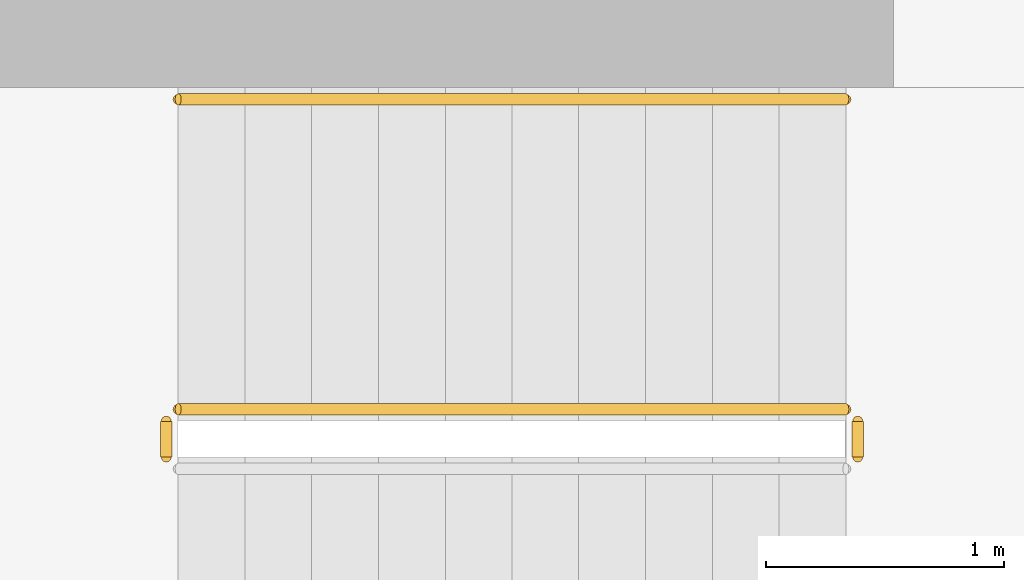
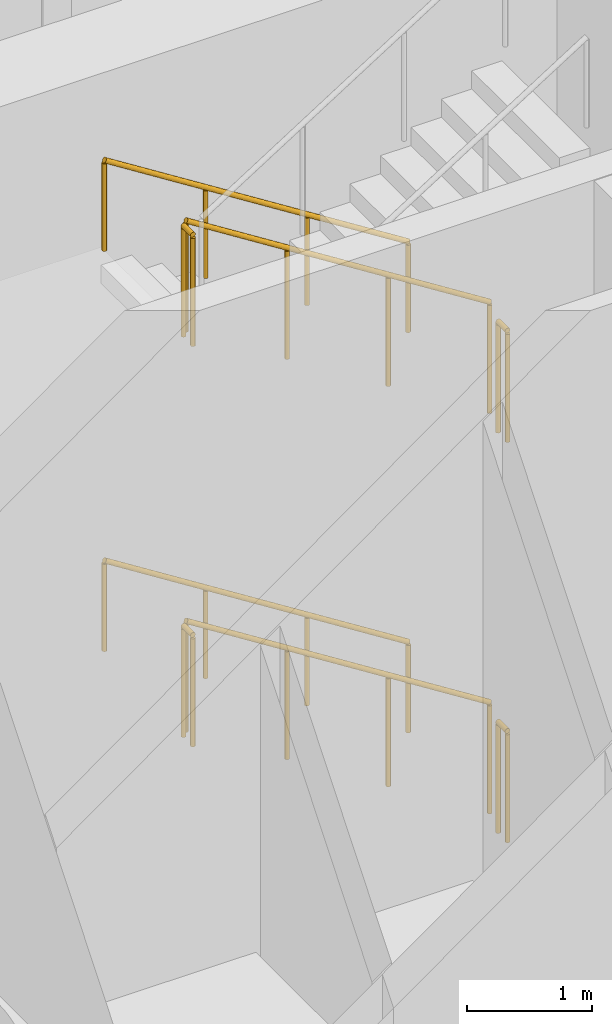
# One storey, part 13 of 16: 8 railings.
"""IFC4 building model written with IfcOpenShell, lengths in metres."""

import ifcopenshell
import ifcopenshell.guid

model = None  # the IFC model being written
_history = None  # IfcOwnerHistory: only IFC2X3 demands one
_inside = {}  # id of a spatial element -> (the spatial element, [elements in it])
_under = {}  # id of a project, library or spatial element -> (it, [spatial elements below it])
_declared = {}  # id of a project -> (the project, [libraries it declares])
_typed = {}  # id of a type object -> (the type object, [elements of that type])
_made_of = {}  # id of a material, layer set ... -> (it, [elements and type objects made of it])


def new_model(schema):
    """Start an empty IFC model of exactly this schema.

    Asked for "IFC4X3", IfcOpenShell would pick the latest addendum, in which some entities
    have other attributes; the version numbers below select the first issue.
    IFC2X3 requires an IfcOwnerHistory on every rooted entity: one is made here for all.
    """
    global model, _history
    if schema == "IFC4X3":
        model = ifcopenshell.file(schema_version=(4, 3, 0, 0))
    else:
        model = ifcopenshell.file(schema=schema)
    _inside.clear()
    _under.clear()
    _declared.clear()
    _typed.clear()
    _made_of.clear()
    _history = None
    if model.schema == "IFC2X3":
        org = make("IfcOrganization", Name="unknown")
        user = make(
            "IfcPersonAndOrganization",
            ThePerson=make("IfcPerson", FamilyName="unknown"),
            TheOrganization=org,
        )
        app = make(
            "IfcApplication",
            ApplicationDeveloper=org,
            Version="unknown",
            ApplicationFullName="unknown",
            ApplicationIdentifier="unknown",
        )
        _history = make(
            "IfcOwnerHistory",
            OwningUser=user,
            OwningApplication=app,
            ChangeAction="ADDED",
            CreationDate=0,
        )
    return model


def make(cls, **values):
    """One entity of the class cls with the attributes given. An attribute that is None is left unset."""
    return model.create_entity(
        cls, **{name: value for name, value in values.items() if value is not None}
    )


def rooted(cls, **values):
    """An entity with a GlobalId (a new one), such as an element, a storey or a relation."""
    return make(cls, GlobalId=ifcopenshell.guid.new(), OwnerHistory=_history, **values)


def si_unit(unit_type, name, prefix=None):
    """IfcSIUnit, for example si_unit("LENGTHUNIT", "METRE", prefix="MILLI")."""
    return make("IfcSIUnit", UnitType=unit_type, Prefix=prefix, Name=name)


def assignment(units):
    """IfcUnitAssignment: the units of a project."""
    return None if units is None else make("IfcUnitAssignment", Units=units)


def point(xyz):
    """IfcCartesianPoint."""
    return None if xyz is None else make("IfcCartesianPoint", Coordinates=xyz)


def direction(xyz):
    """IfcDirection."""
    return None if xyz is None else make("IfcDirection", DirectionRatios=xyz)


def frame(location, z_axis=None, x_axis=None):
    """IfcAxis2Placement3D, a coordinate frame: its origin and axes. An axis left out is left unset."""
    return make(
        "IfcAxis2Placement3D",
        Location=point(location),
        Axis=direction(z_axis),
        RefDirection=direction(x_axis),
    )


def frame_2d(location, x_axis=None):
    """IfcAxis2Placement2D, a coordinate frame in the plane: its origin and x axis."""
    return make(
        "IfcAxis2Placement2D", Location=point(location), RefDirection=direction(x_axis)
    )


def origin():
    """The frame at (0, 0, 0) with its axes left unset."""
    return frame((0.0, 0.0, 0.0))


def origin_2d():
    """The frame at (0, 0) in the plane with its x axis left unset."""
    return frame_2d((0.0, 0.0))


def place(relative_to, where):
    """IfcLocalPlacement: puts the frame where relative to a parent placement (None: the world)."""
    return make(
        "IfcLocalPlacement", PlacementRelTo=relative_to, RelativePlacement=where
    )


def context(
    kind, dimensions, precision=None, world=None, true_north=None, identifier=None
):
    """IfcGeometricRepresentationContext, for example the 3D "Model" context."""
    return make(
        "IfcGeometricRepresentationContext",
        ContextIdentifier=identifier,
        ContextType=kind,
        CoordinateSpaceDimension=dimensions,
        Precision=precision,
        WorldCoordinateSystem=world,
        TrueNorth=true_north,
    )


def subcontext(parent, identifier, kind, view, scale=None):
    """IfcGeometricRepresentationSubContext, for example "Body" below "Model"."""
    return make(
        "IfcGeometricRepresentationSubContext",
        ContextIdentifier=identifier,
        ContextType=kind,
        ParentContext=parent,
        TargetScale=scale,
        TargetView=view,
    )


def project(units=None, contexts=None):
    """IfcProject with its units and contexts."""
    return rooted(
        "IfcProject",
        Name="project",
        RepresentationContexts=contexts,
        UnitsInContext=assignment(units),
    )


def spatial(cls, under=None, at=None, **own):
    """A site, building, storey or space (cls), placed at a placement, below another one or the project."""
    s = rooted(cls, ObjectPlacement=at, **own)
    if under is not None:
        _under.setdefault(under.id(), (under, []))[1].append(s)
    return s


def profile(cls, at=None, kind="AREA", **sizes):
    """A parametric profile (cls). Its sizes go by their IFC names, for example OverallWidth=200.0."""
    return make(cls, ProfileType=kind, Position=at, **sizes)


def circle(**sizes):
    """IfcCircleProfileDef."""
    return profile("IfcCircleProfileDef", **sizes)


def extrude(swept, where, along, depth):
    """IfcExtrudedAreaSolid: the profile swept, set in the frame where, extruded along a direction by depth."""
    return make(
        "IfcExtrudedAreaSolid",
        SweptArea=swept,
        Position=where,
        ExtrudedDirection=direction(along),
        Depth=depth,
    )


def shape(context_of_items, identifier, shape_type, items):
    """IfcShapeRepresentation: the items that make up one representation, for example the "Body"."""
    return make(
        "IfcShapeRepresentation",
        ContextOfItems=context_of_items,
        RepresentationIdentifier=identifier,
        RepresentationType=shape_type,
        Items=items,
    )


def source(mapping_origin, context_of_items, identifier, shape_type, items):
    """IfcRepresentationMap: a shape defined once, which mapped items show again and again."""
    return make(
        "IfcRepresentationMap",
        MappingOrigin=mapping_origin,
        MappedRepresentation=shape(context_of_items, identifier, shape_type, items),
    )


def transform(
    local_origin,
    x_axis=None,
    y_axis=None,
    z_axis=None,
    scale=None,
    scale2=None,
    scale3=None,
    uniform=True,
):
    """IfcCartesianTransformationOperator3D, or its non-uniform kind. x_axis, y_axis, z_axis: its Axis1, 2, 3."""
    if uniform:
        return make(
            "IfcCartesianTransformationOperator3D",
            Axis1=direction(x_axis),
            Axis2=direction(y_axis),
            LocalOrigin=point(local_origin),
            Scale=scale,
            Axis3=direction(z_axis),
        )
    return make(
        "IfcCartesianTransformationOperator3DnonUniform",
        Axis1=direction(x_axis),
        Axis2=direction(y_axis),
        LocalOrigin=point(local_origin),
        Scale=scale,
        Axis3=direction(z_axis),
        Scale2=scale2,
        Scale3=scale3,
    )


def mapped(mapping_source, mapping_target):
    """IfcMappedItem: shows the shape of a source again, moved by a transform."""
    return make(
        "IfcMappedItem", MappingSource=mapping_source, MappingTarget=mapping_target
    )


def material(Name=None, Category=None):
    """IfcMaterial."""
    return make("IfcMaterial", Name=Name, Category=Category)


def made_of(thing, what):
    """Note that an element or type object is made of a material, layer set ...; save() writes the relation."""
    if what is not None:
        _made_of.setdefault(what.id(), (what, []))[1].append(thing)
    return thing


def type_object(cls, material=None, **own):
    """A type object (cls), such as IfcWallType, which elements share."""
    return made_of(rooted(cls, **own), material)


def element(
    cls,
    number,
    at=None,
    inside=None,
    cuts=None,
    type_object=None,
    material=None,
    context=None,
    identifier="Body",
    shape_type=None,
    held_by="IfcProductDefinitionShape",
    body=None,
    shapes=None,
    **own,
):
    """One element of the class cls, such as IfcWall. Its Tag is "e" and its number.

    at: its placement. inside: the storey or other place that contains it. cuts: it is an
    opening in that element (IfcRelVoidsElement). A single representation is given by context,
    identifier, shape_type and body (its items); several are given by shapes. held_by: the class
    of the entity that holds the representations. save() writes the other relations.
    """
    e = rooted(cls, Tag="e%d" % number, ObjectPlacement=at, **own)
    if body is not None:
        shapes = [shape(context, identifier, shape_type, body)]
    if shapes is not None:
        e.Representation = make(held_by, Representations=shapes)
    if inside is not None:
        _inside.setdefault(inside.id(), (inside, []))[1].append(e)
    if cuts is not None:
        rooted(
            "IfcRelVoidsElement", RelatingBuildingElement=cuts, RelatedOpeningElement=e
        )
    if type_object is not None:
        _typed.setdefault(type_object.id(), (type_object, []))[1].append(e)
    return made_of(e, material)


def aggregate(whole, parts):
    """IfcRelAggregates: a whole, such as a stair, and the parts it consists of."""
    return rooted("IfcRelAggregates", RelatingObject=whole, RelatedObjects=parts)


def save(model, path):
    """Write the relations noted so far, then the file.

    IfcRelAggregates (storeys below a building ...), IfcRelContainedInSpatialStructure (elements
    in a storey), IfcRelDefinesByType, IfcRelAssociatesMaterial and IfcRelDeclares: one each for
    every whole, place, type object, material and project.
    """
    for whole, parts in _under.values():
        aggregate(whole, parts)
    for where, things in _inside.values():
        rooted(
            "IfcRelContainedInSpatialStructure",
            RelatedElements=things,
            RelatingStructure=where,
        )
    for kind, things in _typed.values():
        rooted("IfcRelDefinesByType", RelatedObjects=things, RelatingType=kind)
    for what, things in _made_of.values():
        rooted("IfcRelAssociatesMaterial", RelatedObjects=things, RelatingMaterial=what)
    for by, libraries in _declared.values():
        rooted("IfcRelDeclares", RelatingContext=by, RelatedDefinitions=libraries)
    model.write(path)


model = new_model("IFC4")

# Units and contexts
model_context = context("Model", 3, precision=1e-05, world=origin(), true_north=direction((0.0, 1.0)))
body_context = subcontext(model_context, "Body", "Model", "MODEL_VIEW")
ifc_project = project(units=[si_unit("LENGTHUNIT", "METRE"), si_unit("AREAUNIT", "SQUARE_METRE"), si_unit("VOLUMEUNIT", "CUBIC_METRE"), si_unit("PLANEANGLEUNIT", "RADIAN"), si_unit("MASSUNIT", "GRAM", prefix="KILO")], contexts=[model_context])

# Site, building, storey
site_placement = place(None, origin())
site = spatial("IfcSite", under=ifc_project, at=site_placement, CompositionType="ELEMENT")
building_placement = place(site_placement, origin())
building = spatial("IfcBuilding", under=site, at=building_placement, Name="Qafzar Sky-Pleat Residences", CompositionType="ELEMENT")
storey_placement = place(building_placement, origin())
storey = spatial("IfcBuildingStorey", under=building, at=storey_placement, Name="L00", CompositionType="ELEMENT", Elevation=0.0)

# Railings
ifc_material_1 = material(Name="Painted Steel S355 stair guardrail", Category="steel")
railing_type_1 = type_object("IfcRailingType", Name="RAIL-STAIR-GUARD", PredefinedType="GUARDRAIL", material=ifc_material_1)
shared_shape_1 = source(origin(), body_context, "Body", "SweptSolid", [
    extrude(circle(Radius=0.02392578125, at=origin_2d()), frame((0.0, 0.0, 1.076171875), z_axis=(0.0, -1.0, 0.0), x_axis=(1.0, 0.0, 0.0)), (0.0, 0.0, 1.0), 0.14990234375),
    extrude(circle(Radius=0.02099609375, at=origin_2d()), origin(), (0.0, 0.0, 1.0), 1.052001953125),
    extrude(circle(Radius=0.02099609375, at=origin_2d()), frame((0.0, -0.14990234375, 0.0)), (0.0, 0.0, 1.0), 1.052001953125),
])
for number, where, name in (
    (1, (27.949951171875, 32.39990234375, 1.949951171875), "L00 ST2 stair guard 2"),
    (2, (30.85009765625, 32.39990234375, 3.89990234375), "L00 ST2 stair guard 4"),
    (3, (27.949951171875, 32.39990234375, 5.85009765625), "L00 ST2 stair guard 6"),
    (4, (30.85009765625, 32.39990234375, 0.0), "L00 ST2 stair guard 8"),
):
    element("IfcRailing", number, at=place(storey_placement, frame(where)), inside=storey, type_object=railing_type_1, Name=name, PredefinedType="GUARDRAIL", context=body_context, shape_type="MappedRepresentation", body=[
        mapped(shared_shape_1, transform((0.0, 0.0, 0.0), x_axis=(1.0, 0.0, 0.0), y_axis=(0.0, 1.0, 0.0), z_axis=(0.0, 0.0, 1.0), scale=1.0)),
    ])
shared_shape_2 = source(origin(), body_context, "Body", "SweptSolid", [
    extrude(circle(Radius=0.02392578125, at=origin_2d()), frame((0.0, 0.0, 1.076171875), z_axis=(-0.844908973607, 0.0, 0.534910110503), x_axis=(0.0, -1.0, 0.0)), (0.0, 0.0, 1.0), 3.31396484375),
    extrude(circle(Radius=0.02099609375, at=origin_2d()), origin(), (0.0, 0.0, 1.0), 1.052001953125),
    extrude(circle(Radius=0.02099609375, at=origin_2d()), frame((-0.933349609375, 0.0, 0.5908203125)), (0.0, 0.0, 1.0), 1.052001953125),
    extrude(circle(Radius=0.02099609375, at=origin_2d()), frame((-1.86669921875, 0.0, 1.181884765625)), (0.0, 0.0, 1.0), 1.052001953125),
    extrude(circle(Radius=0.02099609375, at=origin_2d()), frame((-2.800048828125, 0.0, 1.772705078125)), (0.0, 0.0, 1.0), 1.052001953125),
])
for number, where, name in (
    (5, (30.800048828125, 32.449951171875, 0.17724609375), "L00 ST2 stair guard 1"),
    (6, (30.800048828125, 32.449951171875, 4.077392578125), "L00 ST2 stair guard 5"),
):
    element("IfcRailing", number, at=place(storey_placement, frame(where)), inside=storey, type_object=railing_type_1, Name=name, PredefinedType="GUARDRAIL", context=body_context, shape_type="MappedRepresentation", body=[
        mapped(shared_shape_2, transform((0.0, 0.0, 0.0), x_axis=(1.0, 0.0, 0.0), y_axis=(0.0, 1.0, 0.0), z_axis=(0.0, 0.0, 1.0), scale=1.0)),
    ])
ifc_material_2 = material(Name="Brushed stainless steel handrail", Category="steel")
railing_type_2 = type_object("IfcRailingType", Name="RAIL-STAIR-HAND", PredefinedType="HANDRAIL", material=ifc_material_2)
shared_shape_3 = source(origin(), body_context, "Body", "SweptSolid", [
    extrude(circle(Radius=0.02392578125, at=origin_2d()), frame((0.0, 0.0, 0.8759765625), z_axis=(-0.844908973607, 0.0, 0.534910110503), x_axis=(0.0, -1.0, 0.0)), (0.0, 0.0, 1.0), 3.31396484375),
    extrude(circle(Radius=0.02099609375, at=origin_2d()), origin(), (0.0, 0.0, 1.0), 0.851806640625),
    extrude(circle(Radius=0.02099609375, at=origin_2d()), frame((-0.933349609375, 0.0, 0.5908203125)), (0.0, 0.0, 1.0), 0.851806640625),
    extrude(circle(Radius=0.02099609375, at=origin_2d()), frame((-1.86669921875, 0.0, 1.181884765625)), (0.0, 0.0, 1.0), 0.851806640625),
    extrude(circle(Radius=0.02099609375, at=origin_2d()), frame((-2.800048828125, 0.0, 1.772705078125)), (0.0, 0.0, 1.0), 0.851806640625),
])
for number, where, name in (
    (7, (30.800048828125, 33.75, 0.17724609375), "L00 ST2 stair handrail 1"),
    (8, (30.800048828125, 33.75, 4.077392578125), "L00 ST2 stair handrail 3"),
):
    element("IfcRailing", number, at=place(storey_placement, frame(where)), inside=storey, type_object=railing_type_2, Name=name, PredefinedType="HANDRAIL", context=body_context, shape_type="MappedRepresentation", body=[
        mapped(shared_shape_3, transform((0.0, 0.0, 0.0), x_axis=(1.0, 0.0, 0.0), y_axis=(0.0, 1.0, 0.0), z_axis=(0.0, 0.0, 1.0), scale=1.0)),
    ])

save(model, "model.ifc")
